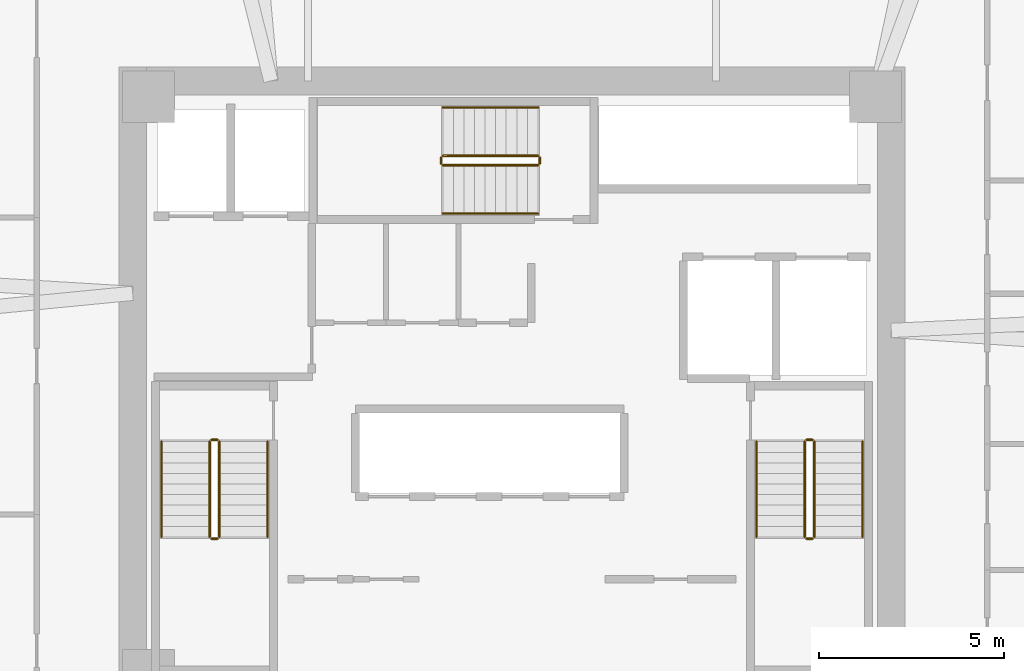
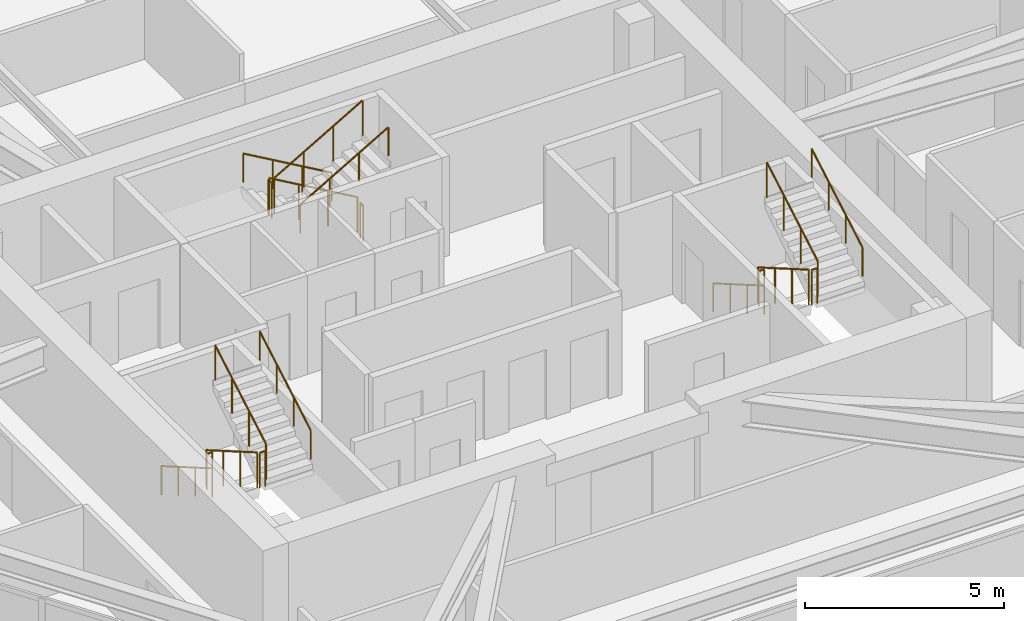
# One storey, part 13 of 13: 18 railings.
"""IFC4 building model written with IfcOpenShell, lengths in metres."""

from ifc_helpers import new_model, si_unit, direction, frame, origin, origin_2d, place, context, subcontext, project, spatial, circle, extrude, material, type_object, element, save


model = new_model("IFC4")

# Units and contexts
model_context = context("Model", 3, precision=1e-05, world=origin(), true_north=direction((0.0, 1.0)))
body_context = subcontext(model_context, "Body", "Model", "MODEL_VIEW")
ifc_project = project(units=[si_unit("LENGTHUNIT", "METRE"), si_unit("AREAUNIT", "SQUARE_METRE"), si_unit("VOLUMEUNIT", "CUBIC_METRE"), si_unit("PLANEANGLEUNIT", "RADIAN"), si_unit("MASSUNIT", "GRAM", prefix="KILO")], contexts=[model_context])

# Site, building, storey
site_placement = place(None, origin())
site = spatial("IfcSite", under=ifc_project, at=site_placement, CompositionType="ELEMENT")
building_placement = place(site_placement, origin())
building = spatial("IfcBuilding", under=site, at=building_placement, Name="Durnholm Broadcast Tower", CompositionType="ELEMENT")
storey_placement = place(building_placement, frame((0.0, 0.0, 133.800048828125)))
storey = spatial("IfcBuildingStorey", under=building, at=storey_placement, Name="L36", CompositionType="ELEMENT", Elevation=133.800048828125)

# Railings
ifc_material_1 = material(Name="Painted Tubular Steel Stair Guardrail", Category="steel")
railing_type_1 = type_object("IfcRailingType", Name="RAIL-ST-GRD", PredefinedType="GUARDRAIL", material=ifc_material_1)
railing_1_placement = place(storey_placement, frame((-8.14990234375, -1.5, 0.1650390625)))
element("IfcRailing", 1, at=railing_1_placement, inside=storey, type_object=railing_type_1, Name="L36 ST-1 stair guard 1", PredefinedType="GUARDRAIL", context=body_context, shape_type="SweptSolid", body=[
    extrude(circle(Radius=0.02392578125, at=origin_2d()), frame((0.0, 0.0, 1.076171875), z_axis=(0.0, -0.865441324677, 0.50101029285), x_axis=(1.0, 0.0, 0.0)), (0.0, 0.0, 1.0), 2.963623046875),
    extrude(circle(Radius=0.02099609375, at=origin_2d()), origin(), (0.0, 0.0, 1.0), 1.052001953125),
    extrude(circle(Radius=0.02099609375, at=origin_2d()), frame((0.0, -0.85498046875, 0.494873046875)), (0.0, 0.0, 1.0), 1.052001953125),
    extrude(circle(Radius=0.02099609375, at=origin_2d()), frame((0.0, -1.7099609375, 0.989990234375)), (0.0, 0.0, 1.0), 1.052001953125),
    extrude(circle(Radius=0.02099609375, at=origin_2d()), frame((0.0, -2.56494140625, 1.48486328125)), (0.0, 0.0, 1.0), 1.052001953125),
])
railing_2_placement = place(storey_placement, frame((-8.10009765625, -4.114990234375, 1.64990234375)))
element("IfcRailing", 2, at=railing_2_placement, inside=storey, type_object=railing_type_1, Name="L36 ST-1 stair guard 2", PredefinedType="GUARDRAIL", context=body_context, shape_type="SweptSolid", body=[
    extrude(circle(Radius=0.02392578125, at=origin_2d()), frame((0.0, 0.0, 1.076171875), z_axis=(1.0, 0.0, 0.0), x_axis=(0.0, 1.0, 0.0)), (0.0, 0.0, 1.0), 0.16015625),
    extrude(circle(Radius=0.02099609375, at=origin_2d()), origin(), (0.0, 0.0, 1.0), 1.052001953125),
    extrude(circle(Radius=0.02099609375, at=origin_2d()), frame((0.16015625, 0.0, 0.0)), (0.0, 0.0, 1.0), 1.052001953125),
])
railing_3_placement = place(storey_placement, frame((-7.889892578125, -4.06494140625, 1.81494140625)))
element("IfcRailing", 3, at=railing_3_placement, inside=storey, type_object=railing_type_1, Name="L36 ST-1 stair guard 3", PredefinedType="GUARDRAIL", context=body_context, shape_type="SweptSolid", body=[
    extrude(circle(Radius=0.02392578125, at=origin_2d()), frame((0.0, 0.0, 1.076171875), z_axis=(0.0, 0.865405606168, 0.501071987656), x_axis=(-1.0, 0.0, 0.0)), (0.0, 0.0, 1.0), 2.9638671875),
    extrude(circle(Radius=0.02099609375, at=origin_2d()), origin(), (0.0, 0.0, 1.0), 1.052001953125),
    extrude(circle(Radius=0.02099609375, at=origin_2d()), frame((0.0, 0.85498046875, 0.4951171875)), (0.0, 0.0, 1.0), 1.052001953125),
    extrude(circle(Radius=0.02099609375, at=origin_2d()), frame((0.0, 1.7099609375, 0.989990234375)), (0.0, 0.0, 1.0), 1.052001953125),
    extrude(circle(Radius=0.02099609375, at=origin_2d()), frame((0.0, 2.56494140625, 1.485107421875)), (0.0, 0.0, 1.0), 1.052001953125),
])
railing_4_placement = place(storey_placement, frame((-8.10009765625, -1.449951171875, 0.0)))
element("IfcRailing", 4, at=railing_4_placement, inside=storey, type_object=railing_type_1, Name="L36 ST-1 stair guard 4", PredefinedType="GUARDRAIL", context=body_context, shape_type="SweptSolid", body=[
    extrude(circle(Radius=0.02392578125, at=origin_2d()), frame((0.0, 0.0, 1.076171875), z_axis=(1.0, 0.0, 0.0), x_axis=(0.0, 1.0, 0.0)), (0.0, 0.0, 1.0), 0.16015625),
    extrude(circle(Radius=0.02099609375, at=origin_2d()), origin(), (0.0, 0.0, 1.0), 1.052001953125),
    extrude(circle(Radius=0.02099609375, at=origin_2d()), frame((0.16015625, 0.0, 0.0)), (0.0, 0.0, 1.0), 1.052001953125),
])
railing_5_placement = place(storey_placement, frame((7.889892578125, -1.5, 0.1650390625)))
element("IfcRailing", 5, at=railing_5_placement, inside=storey, type_object=railing_type_1, Name="L36 ST-2 stair guard 1", PredefinedType="GUARDRAIL", context=body_context, shape_type="SweptSolid", body=[
    extrude(circle(Radius=0.02392578125, at=origin_2d()), frame((0.0, 0.0, 1.076171875), z_axis=(0.0, -0.865441324677, 0.50101029285), x_axis=(1.0, 0.0, 0.0)), (0.0, 0.0, 1.0), 2.963623046875),
    extrude(circle(Radius=0.02099609375, at=origin_2d()), origin(), (0.0, 0.0, 1.0), 1.052001953125),
    extrude(circle(Radius=0.02099609375, at=origin_2d()), frame((0.0, -0.85498046875, 0.494873046875)), (0.0, 0.0, 1.0), 1.052001953125),
    extrude(circle(Radius=0.02099609375, at=origin_2d()), frame((0.0, -1.7099609375, 0.989990234375)), (0.0, 0.0, 1.0), 1.052001953125),
    extrude(circle(Radius=0.02099609375, at=origin_2d()), frame((0.0, -2.56494140625, 1.48486328125)), (0.0, 0.0, 1.0), 1.052001953125),
])
railing_6_placement = place(storey_placement, frame((7.93994140625, -4.114990234375, 1.64990234375)))
element("IfcRailing", 6, at=railing_6_placement, inside=storey, type_object=railing_type_1, Name="L36 ST-2 stair guard 2", PredefinedType="GUARDRAIL", context=body_context, shape_type="SweptSolid", body=[
    extrude(circle(Radius=0.02392578125, at=origin_2d()), frame((0.0, 0.0, 1.076171875), z_axis=(1.0, 0.0, 0.0), x_axis=(0.0, 1.0, 0.0)), (0.0, 0.0, 1.0), 0.16015625),
    extrude(circle(Radius=0.02099609375, at=origin_2d()), origin(), (0.0, 0.0, 1.0), 1.052001953125),
    extrude(circle(Radius=0.02099609375, at=origin_2d()), frame((0.16015625, 0.0, 0.0)), (0.0, 0.0, 1.0), 1.052001953125),
])
railing_7_placement = place(storey_placement, frame((8.14990234375, -4.06494140625, 1.81494140625)))
element("IfcRailing", 7, at=railing_7_placement, inside=storey, type_object=railing_type_1, Name="L36 ST-2 stair guard 3", PredefinedType="GUARDRAIL", context=body_context, shape_type="SweptSolid", body=[
    extrude(circle(Radius=0.02392578125, at=origin_2d()), frame((0.0, 0.0, 1.076171875), z_axis=(0.0, 0.865405606168, 0.501071987656), x_axis=(-1.0, 0.0, 0.0)), (0.0, 0.0, 1.0), 2.9638671875),
    extrude(circle(Radius=0.02099609375, at=origin_2d()), origin(), (0.0, 0.0, 1.0), 1.052001953125),
    extrude(circle(Radius=0.02099609375, at=origin_2d()), frame((0.0, 0.85498046875, 0.4951171875)), (0.0, 0.0, 1.0), 1.052001953125),
    extrude(circle(Radius=0.02099609375, at=origin_2d()), frame((0.0, 1.7099609375, 0.989990234375)), (0.0, 0.0, 1.0), 1.052001953125),
    extrude(circle(Radius=0.02099609375, at=origin_2d()), frame((0.0, 2.56494140625, 1.485107421875)), (0.0, 0.0, 1.0), 1.052001953125),
])
railing_8_placement = place(storey_placement, frame((7.93994140625, -1.449951171875, 0.0)))
element("IfcRailing", 8, at=railing_8_placement, inside=storey, type_object=railing_type_1, Name="L36 ST-2 stair guard 4", PredefinedType="GUARDRAIL", context=body_context, shape_type="SweptSolid", body=[
    extrude(circle(Radius=0.02392578125, at=origin_2d()), frame((0.0, 0.0, 1.076171875), z_axis=(1.0, 0.0, 0.0), x_axis=(0.0, 1.0, 0.0)), (0.0, 0.0, 1.0), 0.16015625),
    extrude(circle(Radius=0.02099609375, at=origin_2d()), origin(), (0.0, 0.0, 1.0), 1.052001953125),
    extrude(circle(Radius=0.02099609375, at=origin_2d()), frame((0.16015625, 0.0, 0.0)), (0.0, 0.0, 1.0), 1.052001953125),
])
railing_9_placement = place(storey_placement, frame((0.699951171875, 6.2099609375, 0.1650390625)))
element("IfcRailing", 9, at=railing_9_placement, inside=storey, type_object=railing_type_1, Name="L36 ST-3 stair guard 1", PredefinedType="GUARDRAIL", context=body_context, shape_type="SweptSolid", body=[
    extrude(circle(Radius=0.02392578125, at=origin_2d()), frame((0.0, 0.0, 1.076171875), z_axis=(-0.865441324677, 0.0, 0.50101029285), x_axis=(0.0, -1.0, 0.0)), (0.0, 0.0, 1.0), 2.963623046875),
    extrude(circle(Radius=0.02099609375, at=origin_2d()), origin(), (0.0, 0.0, 1.0), 1.052001953125),
    extrude(circle(Radius=0.02099609375, at=origin_2d()), frame((-0.85498046875, 0.0, 0.494873046875)), (0.0, 0.0, 1.0), 1.052001953125),
    extrude(circle(Radius=0.02099609375, at=origin_2d()), frame((-1.7099609375, 0.0, 0.989990234375)), (0.0, 0.0, 1.0), 1.052001953125),
    extrude(circle(Radius=0.02099609375, at=origin_2d()), frame((-2.56494140625, 0.0, 1.48486328125)), (0.0, 0.0, 1.0), 1.052001953125),
])
railing_10_placement = place(storey_placement, frame((-1.9150390625, 6.159912109375, 1.64990234375)))
element("IfcRailing", 10, at=railing_10_placement, inside=storey, type_object=railing_type_1, Name="L36 ST-3 stair guard 2", PredefinedType="GUARDRAIL", context=body_context, shape_type="SweptSolid", body=[
    extrude(circle(Radius=0.02392578125, at=origin_2d()), frame((0.0, 0.0, 1.076171875), z_axis=(0.0, -1.0, 0.0), x_axis=(1.0, 0.0, 0.0)), (0.0, 0.0, 1.0), 0.159912109375),
    extrude(circle(Radius=0.02099609375, at=origin_2d()), origin(), (0.0, 0.0, 1.0), 1.052001953125),
    extrude(circle(Radius=0.02099609375, at=origin_2d()), frame((0.0, -0.159912109375, 0.0)), (0.0, 0.0, 1.0), 1.052001953125),
])
railing_11_placement = place(storey_placement, frame((-1.864990234375, 5.949951171875, 1.81494140625)))
element("IfcRailing", 11, at=railing_11_placement, inside=storey, type_object=railing_type_1, Name="L36 ST-3 stair guard 3", PredefinedType="GUARDRAIL", context=body_context, shape_type="SweptSolid", body=[
    extrude(circle(Radius=0.02392578125, at=origin_2d()), frame((0.0, 0.0, 1.076171875), z_axis=(0.865405606168, 0.0, 0.501071987656), x_axis=(0.0, 1.0, 0.0)), (0.0, 0.0, 1.0), 2.9638671875),
    extrude(circle(Radius=0.02099609375, at=origin_2d()), origin(), (0.0, 0.0, 1.0), 1.052001953125),
    extrude(circle(Radius=0.02099609375, at=origin_2d()), frame((0.85498046875, 0.0, 0.4951171875)), (0.0, 0.0, 1.0), 1.052001953125),
    extrude(circle(Radius=0.02099609375, at=origin_2d()), frame((1.7099609375, 0.0, 0.989990234375)), (0.0, 0.0, 1.0), 1.052001953125),
    extrude(circle(Radius=0.02099609375, at=origin_2d()), frame((2.56494140625, 0.0, 1.485107421875)), (0.0, 0.0, 1.0), 1.052001953125),
])
railing_12_placement = place(storey_placement, frame((0.75, 6.159912109375, 0.0)))
element("IfcRailing", 12, at=railing_12_placement, inside=storey, type_object=railing_type_1, Name="L36 ST-3 stair guard 4", PredefinedType="GUARDRAIL", context=body_context, shape_type="SweptSolid", body=[
    extrude(circle(Radius=0.02392578125, at=origin_2d()), frame((0.0, 0.0, 1.076171875), z_axis=(0.0, -1.0, 0.0), x_axis=(1.0, 0.0, 0.0)), (0.0, 0.0, 1.0), 0.159912109375),
    extrude(circle(Radius=0.02099609375, at=origin_2d()), origin(), (0.0, 0.0, 1.0), 1.052001953125),
    extrude(circle(Radius=0.02099609375, at=origin_2d()), frame((0.0, -0.159912109375, 0.0)), (0.0, 0.0, 1.0), 1.052001953125),
])
ifc_material_2 = material(Name="Brushed Stainless Steel Handrail", Category="steel")
railing_type_2 = type_object("IfcRailingType", Name="RAIL-ST-HND", PredefinedType="HANDRAIL", material=ifc_material_2)
railing_13_placement = place(storey_placement, frame((-9.449951171875, -1.5, 0.329833984375)))
element("IfcRailing", 13, at=railing_13_placement, inside=storey, type_object=railing_type_2, Name="L36 ST-1 stair handrail 1", PredefinedType="HANDRAIL", context=body_context, shape_type="SweptSolid", body=[
    extrude(circle(Radius=0.02392578125, at=origin_2d()), frame((0.0, 0.0, 0.8759765625), z_axis=(0.0, -0.865405606168, 0.501071987656), x_axis=(1.0, 0.0, 0.0)), (0.0, 0.0, 1.0), 2.9638671875),
    extrude(circle(Radius=0.02099609375, at=origin_2d()), origin(), (0.0, 0.0, 1.0), 0.851806640625),
    extrude(circle(Radius=0.02099609375, at=origin_2d()), frame((0.0, -0.85498046875, 0.4951171875)), (0.0, 0.0, 1.0), 0.851806640625),
    extrude(circle(Radius=0.02099609375, at=origin_2d()), frame((0.0, -1.7099609375, 0.989990234375)), (0.0, 0.0, 1.0), 0.851806640625),
    extrude(circle(Radius=0.02099609375, at=origin_2d()), frame((0.0, -2.56494140625, 1.485107421875)), (0.0, 0.0, 1.0), 0.851806640625),
])
railing_14_placement = place(storey_placement, frame((-6.590087890625, -4.06494140625, 1.97998046875)))
element("IfcRailing", 14, at=railing_14_placement, inside=storey, type_object=railing_type_2, Name="L36 ST-1 stair handrail 2", PredefinedType="HANDRAIL", context=body_context, shape_type="SweptSolid", body=[
    extrude(circle(Radius=0.02392578125, at=origin_2d()), frame((0.0, 0.0, 0.8759765625), z_axis=(0.0, 0.865441324677, 0.50101029285), x_axis=(-1.0, 0.0, 0.0)), (0.0, 0.0, 1.0), 2.963623046875),
    extrude(circle(Radius=0.02099609375, at=origin_2d()), origin(), (0.0, 0.0, 1.0), 0.851806640625),
    extrude(circle(Radius=0.02099609375, at=origin_2d()), frame((0.0, 0.85498046875, 0.494873046875)), (0.0, 0.0, 1.0), 0.851806640625),
    extrude(circle(Radius=0.02099609375, at=origin_2d()), frame((0.0, 1.7099609375, 0.989990234375)), (0.0, 0.0, 1.0), 0.851806640625),
    extrude(circle(Radius=0.02099609375, at=origin_2d()), frame((0.0, 2.56494140625, 1.48486328125)), (0.0, 0.0, 1.0), 0.851806640625),
])
railing_15_placement = place(storey_placement, frame((6.590087890625, -1.5, 0.329833984375)))
element("IfcRailing", 15, at=railing_15_placement, inside=storey, type_object=railing_type_2, Name="L36 ST-2 stair handrail 1", PredefinedType="HANDRAIL", context=body_context, shape_type="SweptSolid", body=[
    extrude(circle(Radius=0.02392578125, at=origin_2d()), frame((0.0, 0.0, 0.8759765625), z_axis=(0.0, -0.865405606168, 0.501071987656), x_axis=(1.0, 0.0, 0.0)), (0.0, 0.0, 1.0), 2.9638671875),
    extrude(circle(Radius=0.02099609375, at=origin_2d()), origin(), (0.0, 0.0, 1.0), 0.851806640625),
    extrude(circle(Radius=0.02099609375, at=origin_2d()), frame((0.0, -0.85498046875, 0.4951171875)), (0.0, 0.0, 1.0), 0.851806640625),
    extrude(circle(Radius=0.02099609375, at=origin_2d()), frame((0.0, -1.7099609375, 0.989990234375)), (0.0, 0.0, 1.0), 0.851806640625),
    extrude(circle(Radius=0.02099609375, at=origin_2d()), frame((0.0, -2.56494140625, 1.485107421875)), (0.0, 0.0, 1.0), 0.851806640625),
])
railing_16_placement = place(storey_placement, frame((9.449951171875, -4.06494140625, 1.97998046875)))
element("IfcRailing", 16, at=railing_16_placement, inside=storey, type_object=railing_type_2, Name="L36 ST-2 stair handrail 2", PredefinedType="HANDRAIL", context=body_context, shape_type="SweptSolid", body=[
    extrude(circle(Radius=0.02392578125, at=origin_2d()), frame((0.0, 0.0, 0.8759765625), z_axis=(0.0, 0.865441324677, 0.50101029285), x_axis=(-1.0, 0.0, 0.0)), (0.0, 0.0, 1.0), 2.963623046875),
    extrude(circle(Radius=0.02099609375, at=origin_2d()), origin(), (0.0, 0.0, 1.0), 0.851806640625),
    extrude(circle(Radius=0.02099609375, at=origin_2d()), frame((0.0, 0.85498046875, 0.494873046875)), (0.0, 0.0, 1.0), 0.851806640625),
    extrude(circle(Radius=0.02099609375, at=origin_2d()), frame((0.0, 1.7099609375, 0.989990234375)), (0.0, 0.0, 1.0), 0.851806640625),
    extrude(circle(Radius=0.02099609375, at=origin_2d()), frame((0.0, 2.56494140625, 1.48486328125)), (0.0, 0.0, 1.0), 0.851806640625),
])
railing_17_placement = place(storey_placement, frame((0.699951171875, 7.510009765625, 0.329833984375)))
element("IfcRailing", 17, at=railing_17_placement, inside=storey, type_object=railing_type_2, Name="L36 ST-3 stair handrail 1", PredefinedType="HANDRAIL", context=body_context, shape_type="SweptSolid", body=[
    extrude(circle(Radius=0.02392578125, at=origin_2d()), frame((0.0, 0.0, 0.8759765625), z_axis=(-0.865405606168, 0.0, 0.501071987656), x_axis=(0.0, -1.0, 0.0)), (0.0, 0.0, 1.0), 2.9638671875),
    extrude(circle(Radius=0.02099609375, at=origin_2d()), origin(), (0.0, 0.0, 1.0), 0.851806640625),
    extrude(circle(Radius=0.02099609375, at=origin_2d()), frame((-0.85498046875, 0.0, 0.4951171875)), (0.0, 0.0, 1.0), 0.851806640625),
    extrude(circle(Radius=0.02099609375, at=origin_2d()), frame((-1.7099609375, 0.0, 0.989990234375)), (0.0, 0.0, 1.0), 0.851806640625),
    extrude(circle(Radius=0.02099609375, at=origin_2d()), frame((-2.56494140625, 0.0, 1.485107421875)), (0.0, 0.0, 1.0), 0.851806640625),
])
railing_18_placement = place(storey_placement, frame((-1.864990234375, 4.64990234375, 1.97998046875)))
element("IfcRailing", 18, at=railing_18_placement, inside=storey, type_object=railing_type_2, Name="L36 ST-3 stair handrail 2", PredefinedType="HANDRAIL", context=body_context, shape_type="SweptSolid", body=[
    extrude(circle(Radius=0.02392578125, at=origin_2d()), frame((0.0, 0.0, 0.8759765625), z_axis=(0.865441324677, 0.0, 0.50101029285), x_axis=(0.0, 1.0, 0.0)), (0.0, 0.0, 1.0), 2.963623046875),
    extrude(circle(Radius=0.02099609375, at=origin_2d()), origin(), (0.0, 0.0, 1.0), 0.851806640625),
    extrude(circle(Radius=0.02099609375, at=origin_2d()), frame((0.85498046875, 0.0, 0.494873046875)), (0.0, 0.0, 1.0), 0.851806640625),
    extrude(circle(Radius=0.02099609375, at=origin_2d()), frame((1.7099609375, 0.0, 0.989990234375)), (0.0, 0.0, 1.0), 0.851806640625),
    extrude(circle(Radius=0.02099609375, at=origin_2d()), frame((2.56494140625, 0.0, 1.48486328125)), (0.0, 0.0, 1.0), 0.851806640625),
])

save(model, "model.ifc")
